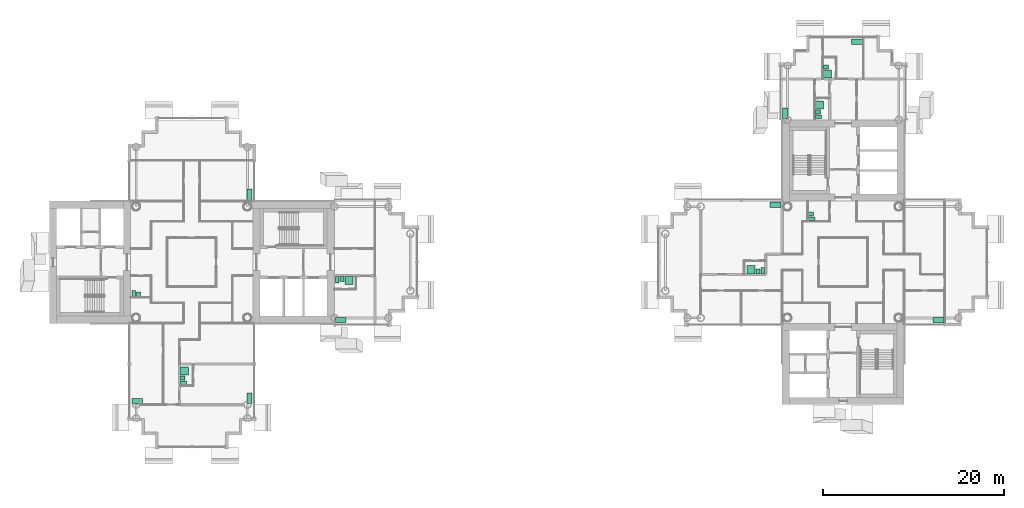
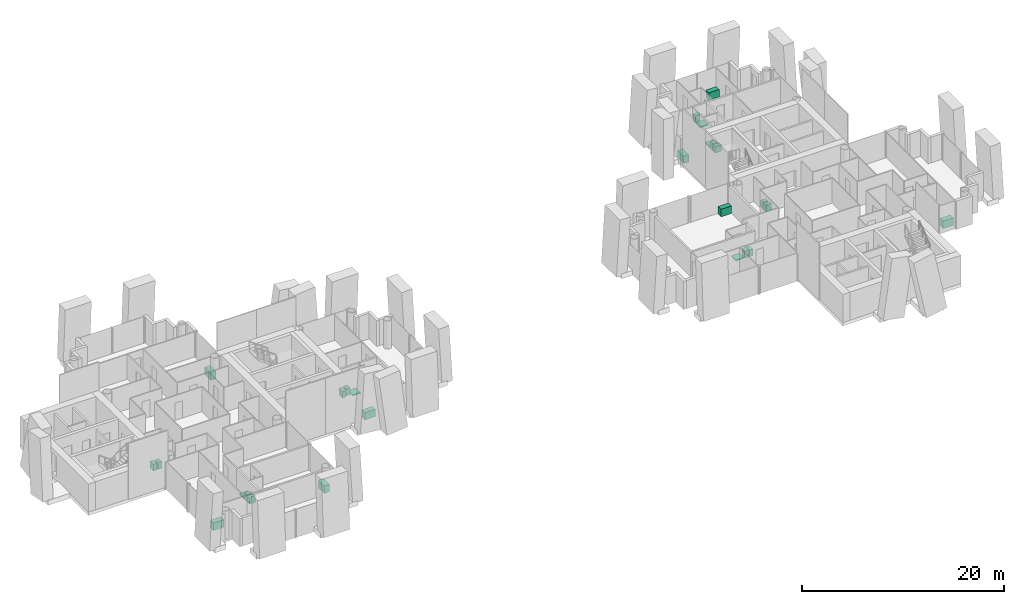
# One storey, part 18 of 18: 26 sanitary terminals.
"""IFC4 building model written with IfcOpenShell, lengths in metres."""

import ifcopenshell
import ifcopenshell.guid

model = None  # the IFC model being written
_history = None  # IfcOwnerHistory: only IFC2X3 demands one
_inside = {}  # id of a spatial element -> (the spatial element, [elements in it])
_under = {}  # id of a project, library or spatial element -> (it, [spatial elements below it])
_declared = {}  # id of a project -> (the project, [libraries it declares])
_typed = {}  # id of a type object -> (the type object, [elements of that type])
_made_of = {}  # id of a material, layer set ... -> (it, [elements and type objects made of it])


def new_model(schema):
    """Start an empty IFC model of exactly this schema.

    Asked for "IFC4X3", IfcOpenShell would pick the latest addendum, in which some entities
    have other attributes; the version numbers below select the first issue.
    IFC2X3 requires an IfcOwnerHistory on every rooted entity: one is made here for all.
    """
    global model, _history
    if schema == "IFC4X3":
        model = ifcopenshell.file(schema_version=(4, 3, 0, 0))
    else:
        model = ifcopenshell.file(schema=schema)
    _inside.clear()
    _under.clear()
    _declared.clear()
    _typed.clear()
    _made_of.clear()
    _history = None
    if model.schema == "IFC2X3":
        org = make("IfcOrganization", Name="unknown")
        user = make(
            "IfcPersonAndOrganization",
            ThePerson=make("IfcPerson", FamilyName="unknown"),
            TheOrganization=org,
        )
        app = make(
            "IfcApplication",
            ApplicationDeveloper=org,
            Version="unknown",
            ApplicationFullName="unknown",
            ApplicationIdentifier="unknown",
        )
        _history = make(
            "IfcOwnerHistory",
            OwningUser=user,
            OwningApplication=app,
            ChangeAction="ADDED",
            CreationDate=0,
        )
    return model


def make(cls, **values):
    """One entity of the class cls with the attributes given. An attribute that is None is left unset."""
    return model.create_entity(
        cls, **{name: value for name, value in values.items() if value is not None}
    )


def rooted(cls, **values):
    """An entity with a GlobalId (a new one), such as an element, a storey or a relation."""
    return make(cls, GlobalId=ifcopenshell.guid.new(), OwnerHistory=_history, **values)


def si_unit(unit_type, name, prefix=None):
    """IfcSIUnit, for example si_unit("LENGTHUNIT", "METRE", prefix="MILLI")."""
    return make("IfcSIUnit", UnitType=unit_type, Prefix=prefix, Name=name)


def assignment(units):
    """IfcUnitAssignment: the units of a project."""
    return None if units is None else make("IfcUnitAssignment", Units=units)


def point(xyz):
    """IfcCartesianPoint."""
    return None if xyz is None else make("IfcCartesianPoint", Coordinates=xyz)


def direction(xyz):
    """IfcDirection."""
    return None if xyz is None else make("IfcDirection", DirectionRatios=xyz)


def frame(location, z_axis=None, x_axis=None):
    """IfcAxis2Placement3D, a coordinate frame: its origin and axes. An axis left out is left unset."""
    return make(
        "IfcAxis2Placement3D",
        Location=point(location),
        Axis=direction(z_axis),
        RefDirection=direction(x_axis),
    )


def frame_2d(location, x_axis=None):
    """IfcAxis2Placement2D, a coordinate frame in the plane: its origin and x axis."""
    return make(
        "IfcAxis2Placement2D", Location=point(location), RefDirection=direction(x_axis)
    )


def origin():
    """The frame at (0, 0, 0) with its axes left unset."""
    return frame((0.0, 0.0, 0.0))


def origin_2d():
    """The frame at (0, 0) in the plane with its x axis left unset."""
    return frame_2d((0.0, 0.0))


def place(relative_to, where):
    """IfcLocalPlacement: puts the frame where relative to a parent placement (None: the world)."""
    return make(
        "IfcLocalPlacement", PlacementRelTo=relative_to, RelativePlacement=where
    )


def context(
    kind, dimensions, precision=None, world=None, true_north=None, identifier=None
):
    """IfcGeometricRepresentationContext, for example the 3D "Model" context."""
    return make(
        "IfcGeometricRepresentationContext",
        ContextIdentifier=identifier,
        ContextType=kind,
        CoordinateSpaceDimension=dimensions,
        Precision=precision,
        WorldCoordinateSystem=world,
        TrueNorth=true_north,
    )


def subcontext(parent, identifier, kind, view, scale=None):
    """IfcGeometricRepresentationSubContext, for example "Body" below "Model"."""
    return make(
        "IfcGeometricRepresentationSubContext",
        ContextIdentifier=identifier,
        ContextType=kind,
        ParentContext=parent,
        TargetScale=scale,
        TargetView=view,
    )


def project(units=None, contexts=None):
    """IfcProject with its units and contexts."""
    return rooted(
        "IfcProject",
        Name="project",
        RepresentationContexts=contexts,
        UnitsInContext=assignment(units),
    )


def spatial(cls, under=None, at=None, **own):
    """A site, building, storey or space (cls), placed at a placement, below another one or the project."""
    s = rooted(cls, ObjectPlacement=at, **own)
    if under is not None:
        _under.setdefault(under.id(), (under, []))[1].append(s)
    return s


def profile(cls, at=None, kind="AREA", **sizes):
    """A parametric profile (cls). Its sizes go by their IFC names, for example OverallWidth=200.0."""
    return make(cls, ProfileType=kind, Position=at, **sizes)


def rectangle(**sizes):
    """IfcRectangleProfileDef."""
    return profile("IfcRectangleProfileDef", **sizes)


def extrude(swept, where, along, depth):
    """IfcExtrudedAreaSolid: the profile swept, set in the frame where, extruded along a direction by depth."""
    return make(
        "IfcExtrudedAreaSolid",
        SweptArea=swept,
        Position=where,
        ExtrudedDirection=direction(along),
        Depth=depth,
    )


def shape(context_of_items, identifier, shape_type, items):
    """IfcShapeRepresentation: the items that make up one representation, for example the "Body"."""
    return make(
        "IfcShapeRepresentation",
        ContextOfItems=context_of_items,
        RepresentationIdentifier=identifier,
        RepresentationType=shape_type,
        Items=items,
    )


def material(Name=None, Category=None):
    """IfcMaterial."""
    return make("IfcMaterial", Name=Name, Category=Category)


def made_of(thing, what):
    """Note that an element or type object is made of a material, layer set ...; save() writes the relation."""
    if what is not None:
        _made_of.setdefault(what.id(), (what, []))[1].append(thing)
    return thing


def type_object(cls, material=None, **own):
    """A type object (cls), such as IfcWallType, which elements share."""
    return made_of(rooted(cls, **own), material)


def element(
    cls,
    number,
    at=None,
    inside=None,
    cuts=None,
    type_object=None,
    material=None,
    context=None,
    identifier="Body",
    shape_type=None,
    held_by="IfcProductDefinitionShape",
    body=None,
    shapes=None,
    **own,
):
    """One element of the class cls, such as IfcWall. Its Tag is "e" and its number.

    at: its placement. inside: the storey or other place that contains it. cuts: it is an
    opening in that element (IfcRelVoidsElement). A single representation is given by context,
    identifier, shape_type and body (its items); several are given by shapes. held_by: the class
    of the entity that holds the representations. save() writes the other relations.
    """
    e = rooted(cls, Tag="e%d" % number, ObjectPlacement=at, **own)
    if body is not None:
        shapes = [shape(context, identifier, shape_type, body)]
    if shapes is not None:
        e.Representation = make(held_by, Representations=shapes)
    if inside is not None:
        _inside.setdefault(inside.id(), (inside, []))[1].append(e)
    if cuts is not None:
        rooted(
            "IfcRelVoidsElement", RelatingBuildingElement=cuts, RelatedOpeningElement=e
        )
    if type_object is not None:
        _typed.setdefault(type_object.id(), (type_object, []))[1].append(e)
    return made_of(e, material)


def aggregate(whole, parts):
    """IfcRelAggregates: a whole, such as a stair, and the parts it consists of."""
    return rooted("IfcRelAggregates", RelatingObject=whole, RelatedObjects=parts)


def save(model, path):
    """Write the relations noted so far, then the file.

    IfcRelAggregates (storeys below a building ...), IfcRelContainedInSpatialStructure (elements
    in a storey), IfcRelDefinesByType, IfcRelAssociatesMaterial and IfcRelDeclares: one each for
    every whole, place, type object, material and project.
    """
    for whole, parts in _under.values():
        aggregate(whole, parts)
    for where, things in _inside.values():
        rooted(
            "IfcRelContainedInSpatialStructure",
            RelatedElements=things,
            RelatingStructure=where,
        )
    for kind, things in _typed.values():
        rooted("IfcRelDefinesByType", RelatedObjects=things, RelatingType=kind)
    for what, things in _made_of.values():
        rooted("IfcRelAssociatesMaterial", RelatedObjects=things, RelatingMaterial=what)
    for by, libraries in _declared.values():
        rooted("IfcRelDeclares", RelatingContext=by, RelatedDefinitions=libraries)
    model.write(path)


model = new_model("IFC4")

# Units and contexts
model_context = context("Model", 3, precision=1e-05, world=origin(), true_north=direction((0.0, 1.0)))
body_context = subcontext(model_context, "Body", "Model", "MODEL_VIEW")
ifc_project = project(units=[si_unit("LENGTHUNIT", "METRE"), si_unit("AREAUNIT", "SQUARE_METRE"), si_unit("VOLUMEUNIT", "CUBIC_METRE"), si_unit("PLANEANGLEUNIT", "RADIAN"), si_unit("MASSUNIT", "GRAM", prefix="KILO")], contexts=[model_context])

# Site, building, storey
site_placement = place(None, origin())
site = spatial("IfcSite", under=ifc_project, at=site_placement, CompositionType="ELEMENT")
building_placement = place(site_placement, origin())
building = spatial("IfcBuilding", under=site, at=building_placement, Name="Ipe Terrace Towers", CompositionType="ELEMENT")
storey_placement = place(building_placement, frame((0.0, 0.0, 143.89990234375)))
storey = spatial("IfcBuildingStorey", under=building, at=storey_placement, Name="L39", CompositionType="ELEMENT", Elevation=143.89990234375)

# Sanitary terminals
ifc_material_1 = material(Name="Stainless sink unit", Category="metal")
sanitary_terminal_type_1 = type_object("IfcSanitaryTerminalType", Name="Kitchen sink unit", PredefinedType="SINK", material=ifc_material_1)
for number, where, z_axis, x_axis, name in (
    (1, (-29.6201171875, 7.469970703125, 0.000244140625), (0.0, 0.0, 1.0), (0.0, -1.0, 0.0), "Kitchen sink unit"),
    (2, (-29.6201171875, -15.030029296875, 0.000244140625), (0.0, 0.0, 1.0), (0.0, -1.0, 0.0), "Kitchen sink unit"),
    (3, (-42.030029296875, -15.3798828125, 0.000244140625), (0.0, 0.0, 1.0), (-1.0, 0.0, 0.0), "Kitchen sink unit"),
    (4, (-19.530029296875, -6.3798828125, 0.000244140625), (0.0, 0.0, 1.0), (-1.0, 0.0, 0.0), "Kitchen sink unit"),
    (5, (28.530029296875, 6.3798828125, 0.000244140625), (0.0, 0.0, 1.0), (1.0, 0.0, 0.0), "Kitchen sink unit"),
    (6, (46.530029296875, -6.3798828125, 0.000244140625), (0.0, 0.0, 1.0), (-1.0, 0.0, 0.0), "Kitchen sink unit"),
    (7, (29.6201171875, 16.469970703125, 0.000244140625), (0.0, 0.0, 1.0), (0.0, 1.0, 0.0), "Kitchen sink unit"),
    (8, (37.530029296875, 24.3798828125, 0.000244140625), (0.0, 0.0, 1.0), (1.0, 0.0, 0.0), "Kitchen sink unit"),
):
    element("IfcSanitaryTerminal", number, at=place(storey_placement, frame(where, z_axis=z_axis, x_axis=x_axis)), inside=storey, type_object=sanitary_terminal_type_1, Name=name, PredefinedType="SINK", context=body_context, shape_type="SweptSolid", body=[
        extrude(rectangle(XDim=1.199951171875, YDim=0.60009765625, at=origin_2d()), origin(), (0.0, 0.0, 1.0), 0.89990234375),
    ])
ifc_material_2 = material(Name="Acrylic", Category="plastic")
sanitary_terminal_type_2 = type_object("IfcSanitaryTerminalType", Name="Shower tray", PredefinedType="SHOWER", material=ifc_material_2)
for number, where, z_axis, x_axis, name in (
    (9, (-36.830078125, -12.030029296875, 0.000244140625), (0.0, 0.0, 1.0), (1.0, 0.0, 0.0), "Shower tray"),
    (10, (-18.6298828125, -2.02001953125, 0.000244140625), (0.0, 0.0, 1.0), (0.0, -1.0, 0.0), "Shower tray"),
    (11, (25.830078125, -0.830078125, 0.000244140625), (0.0, 0.0, 1.0), (0.0, 1.0, 0.0), "Shower tray"),
    (12, (33.3701171875, 17.3701171875, 0.000244140625), (0.0, 0.0, 1.0), (1.0, 0.0, 0.0), "Shower tray"),
    (13, (34.27001953125, 20.820068359375, 0.000244140625), (0.0, 0.0, 1.0), (1.0, 0.0, 0.0), "Shower tray"),
):
    element("IfcSanitaryTerminal", number, at=place(storey_placement, frame(where, z_axis=z_axis, x_axis=x_axis)), inside=storey, type_object=sanitary_terminal_type_2, Name=name, PredefinedType="SHOWER", context=body_context, shape_type="SweptSolid", body=[
        extrude(rectangle(XDim=0.89990234375, YDim=0.89990234375, at=origin_2d()), origin(), (0.0, 0.0, 1.0), 0.14990234375),
    ])
ifc_material_3 = material(Name="Vitreous china", Category="ceramic")
sanitary_terminal_type_3 = type_object("IfcSanitaryTerminalType", Name="Wash basin", PredefinedType="WASHHANDBASIN", material=ifc_material_3)
for number, where, z_axis, x_axis, name in (
    (14, (-41.905029296875, -3.554931640625, 0.0), (0.0, 0.0, 1.0), (0.0, 1.0, 0.0), "Wash basin"),
    (15, (-37.0048828125, -12.804931640625, 0.0), (0.0, 0.0, 1.0), (1.0, 0.0, 0.0), "Wash basin"),
    (16, (-19.405029296875, -1.844970703125, 0.0), (0.0, 0.0, 1.0), (0.0, -1.0, 0.0), "Wash basin"),
    (17, (32.445068359375, 5.344970703125, 0.0), (0.0, 0.0, 1.0), (1.0, 0.0, 0.0), "Wash basin"),
    (18, (26.60498046875, -1.0048828125, 0.0), (0.0, 0.0, 1.0), (0.0, 1.0, 0.0), "Wash basin"),
    (19, (33.195068359375, 16.594970703125, 0.0), (0.0, 0.0, 1.0), (1.0, 0.0, 0.0), "Wash basin"),
    (20, (34.094970703125, 21.594970703125, 0.0), (0.0, 0.0, 1.0), (1.0, 0.0, 0.0), "Wash basin"),
):
    element("IfcSanitaryTerminal", number, at=place(storey_placement, frame(where, z_axis=z_axis, x_axis=x_axis)), inside=storey, type_object=sanitary_terminal_type_3, Name=name, PredefinedType="WASHHANDBASIN", context=body_context, shape_type="SweptSolid", body=[
        extrude(rectangle(XDim=0.550048828125, YDim=0.449951171875, at=origin_2d()), origin(), (0.0, 0.0, 1.0), 0.85009765625),
    ])
ifc_material_4 = material(Name="Vitreous china", Category="ceramic")
sanitary_terminal_type_4 = type_object("IfcSanitaryTerminalType", Name="Water closet", PredefinedType="TOILETPAN", material=ifc_material_4)
for number, where, z_axis, x_axis, name in (
    (21, (-42.429931640625, -3.47998046875, 0.0), (0.0, 0.0, 1.0), (0.0, 1.0, 0.0), "Water closet"),
    (22, (-36.929931640625, -13.330078125, 0.0), (0.0, 0.0, 1.0), (1.0, 0.0, 0.0), "Water closet"),
    (23, (-19.929931640625, -1.919921875, 0.0), (0.0, 0.0, 1.0), (0.0, -1.0, 0.0), "Water closet"),
    (24, (32.52001953125, 4.820068359375, 0.0), (0.0, 0.0, 1.0), (1.0, 0.0, 0.0), "Water closet"),
    (25, (27.1298828125, -0.929931640625, 0.0), (0.0, 0.0, 1.0), (0.0, 1.0, 0.0), "Water closet"),
    (26, (33.27001953125, 16.070068359375, 0.0), (0.0, 0.0, 1.0), (1.0, 0.0, 0.0), "Water closet"),
):
    element("IfcSanitaryTerminal", number, at=place(storey_placement, frame(where, z_axis=z_axis, x_axis=x_axis)), inside=storey, type_object=sanitary_terminal_type_4, Name=name, PredefinedType="TOILETPAN", context=body_context, shape_type="SweptSolid", body=[
        extrude(rectangle(XDim=0.699951171875, YDim=0.39990234375, at=origin_2d()), origin(), (0.0, 0.0, 1.0), 0.780029296875),
    ])

save(model, "model.ifc")
